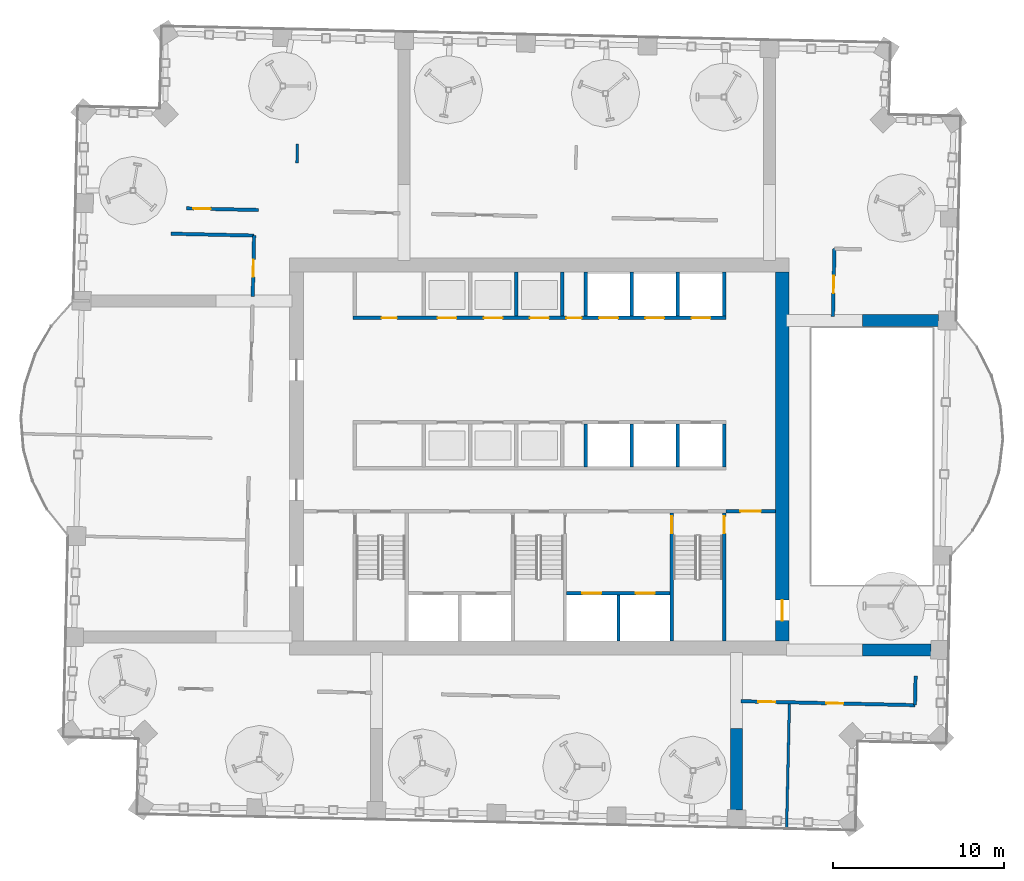
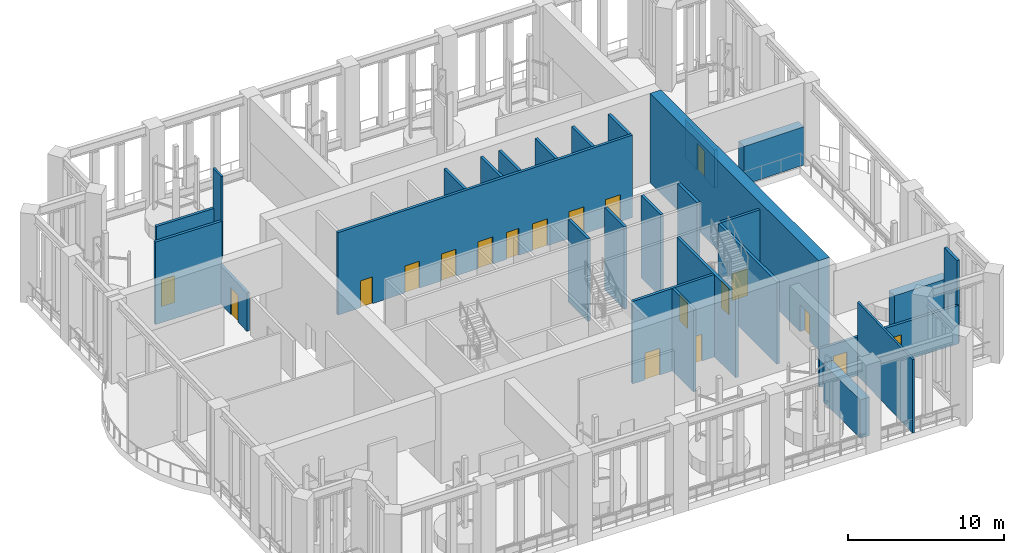
# One storey, part 9 of 33: 28 walls, 19 doors, 19 openings.
"""IFC4 building model written with IfcOpenShell, lengths in metres."""

from ifc_helpers import new_model, si_unit, direction, frame, frame_2d, origin, place, context, subcontext, project, spatial, rectangle, extrude, material, layer, layer_set, type_object, element, fill, save


model = new_model("IFC4")

# Units and contexts
model_context = context("Model", 3, precision=1e-05, world=origin(), true_north=direction((0.0, 1.0)))
body_context = subcontext(model_context, "Body", "Model", "MODEL_VIEW")
ifc_project = project(units=[si_unit("LENGTHUNIT", "METRE"), si_unit("AREAUNIT", "SQUARE_METRE"), si_unit("VOLUMEUNIT", "CUBIC_METRE"), si_unit("PLANEANGLEUNIT", "RADIAN"), si_unit("MASSUNIT", "GRAM", prefix="KILO")], contexts=[model_context])

# Site, building, storey
site_placement = place(None, origin())
site = spatial("IfcSite", under=ifc_project, at=site_placement, CompositionType="ELEMENT")
building_placement = place(site_placement, origin())
building = spatial("IfcBuilding", under=site, at=building_placement, Name="Mangrove Gate Tower", CompositionType="ELEMENT")
storey_placement = place(building_placement, frame((0.0, 0.0, 219.5)))
storey = spatial("IfcBuildingStorey", under=building, at=storey_placement, Name="L56", CompositionType="ELEMENT", Elevation=219.5)

# Wall, opening, door
ifc_material_1 = material(Name="Concrete C32/40", Category="concrete")
ifc_layer_1 = layer(ifc_material_1, 0.199951171875)
ifc_layer_set_1 = layer_set([ifc_layer_1], Name="Core lobby wall 200 C32/40")
wall_type_1 = type_object("IfcWallType", Name="Core lobby wall 200 C32/40", PredefinedType="STANDARD", material=ifc_layer_set_1)
wall_1_placement = place(storey_placement, frame((10.89990234375, -3.199951171875, 0.0), z_axis=(0.0, 0.0, 1.0), x_axis=(1.0, 0.0, 0.0)))
wall_1 = element("IfcWall", 1, at=wall_1_placement, inside=storey, type_object=wall_type_1, Name="WALL-L56-CORE-38", PredefinedType="STANDARD", context=body_context, shape_type="SweptSolid", body=[
    extrude(rectangle(XDim=2.900146484375, YDim=0.199951171875, at=frame_2d((1.4501953125, 0.0))), origin(), (0.0, 0.0, 1.0), 6.449951171875),
])
opening_1_placement = place(wall_1_placement, frame((0.85009765625, 0.0, 0.0)))
opening_1 = element("IfcOpeningElement", 2, at=opening_1_placement, cuts=wall_1, Name="Opening FL12", PredefinedType="OPENING", context=body_context, shape_type="SweptSolid", body=[
    extrude(rectangle(XDim=1.199951171875, YDim=2.10009765625, at=frame_2d((0.60009765625, 1.050048828125))), frame((0.0, 0.10986328125, 0.0), z_axis=(0.0, -1.0, 0.0), x_axis=(1.0, 0.0, 0.0)), (0.0, 0.0, 1.0), 0.219970703125),
])
ifc_material_2 = material(Name="Fire-rated steel door set", Category="steel")
door_type_1 = type_object("IfcDoorType", Name="Lobby door FD60 1200x2100", OperationType="SINGLE_SWING_LEFT", PredefinedType="DOOR", material=ifc_material_2)
door_1_placement = place(opening_1_placement, origin())
door_1 = element("IfcDoor", 3, at=door_1_placement, inside=storey, type_object=door_type_1, Name="Lobby door refuge lobby E link", OperationType="SINGLE_SWING_LEFT", OverallHeight=2.10009765625, OverallWidth=1.199951171875, PredefinedType="DOOR", context=body_context, shape_type="SweptSolid", body=[
    extrude(rectangle(XDim=1.199951171875, YDim=2.10009765625, at=frame_2d((0.60009765625, 1.050048828125))), frame((0.0, 0.02490234375, 0.0), z_axis=(0.0, -1.0, 0.0), x_axis=(1.0, 0.0, 0.0)), (0.0, 0.0, 1.0), 0.050048828125),
])
fill(opening_1, door_1)

# Wall, openings, doors
ifc_material_3 = material(Name="Concrete C60/75", Category="concrete")
ifc_layer_2 = layer(ifc_material_3, 0.199951171875)
ifc_layer_set_2 = layer_set([ifc_layer_2], Name="Core shaft wall 200 C60/75")
wall_type_2 = type_object("IfcWallType", Name="Core shaft wall 200 C60/75", PredefinedType="SHEAR", material=ifc_layer_set_2)
wall_2_placement = place(storey_placement, frame((-10.89990234375, 8.10009765625, 0.0), z_axis=(0.0, 0.0, 1.0), x_axis=(1.0, 0.0, 0.0)))
wall_2 = element("IfcWall", 4, at=wall_2_placement, inside=storey, type_object=wall_type_2, Name="WALL-L56-CORE-8", PredefinedType="SHEAR", context=body_context, shape_type="SweptSolid", body=[
    extrude(rectangle(XDim=21.7998046875, YDim=0.199951171875, at=frame_2d((10.89990234375, 0.0))), origin(), (0.0, 0.0, 1.0), 6.449951171875),
])
opening_2_placement = place(wall_2_placement, frame((4.949951171875, 0.0, 0.0)))
opening_2 = element("IfcOpeningElement", 5, at=opening_2_placement, cuts=wall_2, Name="Opening LD", PredefinedType="OPENING", context=body_context, shape_type="SweptSolid", body=[
    extrude(rectangle(XDim=1.10009765625, YDim=2.10009765625, at=frame_2d((0.550048828125, 1.050048828125))), frame((0.0, 0.10986328125, 0.0), z_axis=(0.0, -1.0, 0.0), x_axis=(1.0, 0.0, 0.0)), (0.0, 0.0, 1.0), 0.219970703125),
])
opening_3_placement = place(wall_2_placement, frame((7.64990234375, 0.0, 0.0)))
opening_3 = element("IfcOpeningElement", 6, at=opening_3_placement, cuts=wall_2, Name="Opening LD", PredefinedType="OPENING", context=body_context, shape_type="SweptSolid", body=[
    extrude(rectangle(XDim=1.10009765625, YDim=2.10009765625, at=frame_2d((0.550048828125, 1.050048828125))), frame((0.0, 0.10986328125, 0.0), z_axis=(0.0, -1.0, 0.0), x_axis=(1.0, 0.0, 0.0)), (0.0, 0.0, 1.0), 0.219970703125),
])
opening_4_placement = place(wall_2_placement, frame((10.35009765625, 0.0, 0.0)))
opening_4 = element("IfcOpeningElement", 7, at=opening_4_placement, cuts=wall_2, Name="Opening LD", PredefinedType="OPENING", context=body_context, shape_type="SweptSolid", body=[
    extrude(rectangle(XDim=1.10009765625, YDim=2.10009765625, at=frame_2d((0.550048828125, 1.050048828125))), frame((0.0, 0.10986328125, 0.0), z_axis=(0.0, -1.0, 0.0), x_axis=(1.0, 0.0, 0.0)), (0.0, 0.0, 1.0), 0.219970703125),
])
opening_5_placement = place(wall_2_placement, frame((14.39990234375, 0.0, 0.0)))
opening_5 = element("IfcOpeningElement", 8, at=opening_5_placement, cuts=wall_2, Name="Opening LD", PredefinedType="OPENING", context=body_context, shape_type="SweptSolid", body=[
    extrude(rectangle(XDim=1.10009765625, YDim=2.10009765625, at=frame_2d((0.550048828125, 1.050048828125))), frame((0.0, 0.10986328125, 0.0), z_axis=(0.0, -1.0, 0.0), x_axis=(1.0, 0.0, 0.0)), (0.0, 0.0, 1.0), 0.219970703125),
])
opening_6_placement = place(wall_2_placement, frame((17.10009765625, 0.0, 0.0)))
opening_6 = element("IfcOpeningElement", 9, at=opening_6_placement, cuts=wall_2, Name="Opening LD", PredefinedType="OPENING", context=body_context, shape_type="SweptSolid", body=[
    extrude(rectangle(XDim=1.10009765625, YDim=2.10009765625, at=frame_2d((0.550048828125, 1.050048828125))), frame((0.0, 0.10986328125, 0.0), z_axis=(0.0, -1.0, 0.0), x_axis=(1.0, 0.0, 0.0)), (0.0, 0.0, 1.0), 0.219970703125),
])
opening_7_placement = place(wall_2_placement, frame((19.800048828125, 0.0, 0.0)))
opening_7 = element("IfcOpeningElement", 10, at=opening_7_placement, cuts=wall_2, Name="Opening LD", PredefinedType="OPENING", context=body_context, shape_type="SweptSolid", body=[
    extrude(rectangle(XDim=1.10009765625, YDim=2.10009765625, at=frame_2d((0.550048828125, 1.050048828125))), frame((0.0, 0.10986328125, 0.0), z_axis=(0.0, -1.0, 0.0), x_axis=(1.0, 0.0, 0.0)), (0.0, 0.0, 1.0), 0.219970703125),
])
opening_8_placement = place(wall_2_placement, frame((1.675048828125, 0.0, 0.0)))
opening_8 = element("IfcOpeningElement", 11, at=opening_8_placement, cuts=wall_2, Name="Opening KD", PredefinedType="OPENING", context=body_context, shape_type="SweptSolid", body=[
    extrude(rectangle(XDim=0.89990234375, YDim=2.10009765625, at=frame_2d((0.449951171875, 1.050048828125))), frame((0.0, 0.10986328125, 0.0), z_axis=(0.0, -1.0, 0.0), x_axis=(1.0, 0.0, 0.0)), (0.0, 0.0, 1.0), 0.219970703125),
])
opening_9_placement = place(wall_2_placement, frame((12.47509765625, 0.0, 0.0)))
opening_9 = element("IfcOpeningElement", 12, at=opening_9_placement, cuts=wall_2, Name="Opening RD", PredefinedType="OPENING", context=body_context, shape_type="SweptSolid", body=[
    extrude(rectangle(XDim=0.89990234375, YDim=2.10009765625, at=frame_2d((0.449951171875, 1.050048828125))), frame((0.0, 0.10986328125, 0.0), z_axis=(0.0, -1.0, 0.0), x_axis=(1.0, 0.0, 0.0)), (0.0, 0.0, 1.0), 0.219970703125),
])
ifc_material_4 = material(Name="Fire-rated steel door set", Category="steel")
door_type_2 = type_object("IfcDoorType", Name="Core room door FD30S 900x2100", OperationType="SINGLE_SWING_RIGHT", PredefinedType="DOOR", material=ifc_material_4)
door_2_placement = place(opening_8_placement, origin())
door_2 = element("IfcDoor", 13, at=door_2_placement, inside=storey, type_object=door_type_2, Name="Core room door Refuse store", OperationType="SINGLE_SWING_RIGHT", OverallHeight=2.10009765625, OverallWidth=0.89990234375, PredefinedType="DOOR", context=body_context, shape_type="SweptSolid", body=[
    extrude(rectangle(XDim=0.89990234375, YDim=2.10009765625, at=frame_2d((0.449951171875, 1.050048828125))), frame((0.0, 0.02490234375, 0.0), z_axis=(0.0, -1.0, 0.0), x_axis=(1.0, 0.0, 0.0)), (0.0, 0.0, 1.0), 0.050048828125),
])
fill(opening_8, door_2)
ifc_material_5 = material(Name="Stainless steel 316", Category="steel")
door_type_3 = type_object("IfcDoorType", Name="Lift landing door 1100x2100", OperationType="SLIDING_TO_LEFT", PredefinedType="DOOR", material=ifc_material_5)
door_3_placement = place(opening_2_placement, origin())
door_3 = element("IfcDoor", 14, at=door_3_placement, inside=storey, type_object=door_type_3, Name="Landing door LD H04", OperationType="SLIDING_TO_LEFT", OverallHeight=2.10009765625, OverallWidth=1.10009765625, PredefinedType="DOOR", context=body_context, shape_type="SweptSolid", body=[
    extrude(rectangle(XDim=1.10009765625, YDim=2.10009765625, at=frame_2d((0.550048828125, 1.050048828125))), frame((0.0, 0.02490234375, 0.0), z_axis=(0.0, -1.0, 0.0), x_axis=(1.0, 0.0, 0.0)), (0.0, 0.0, 1.0), 0.050048828125),
])
fill(opening_2, door_3)
door_4_placement = place(opening_3_placement, origin())
door_4 = element("IfcDoor", 15, at=door_4_placement, inside=storey, type_object=door_type_3, Name="Landing door LD H05", OperationType="SLIDING_TO_LEFT", OverallHeight=2.10009765625, OverallWidth=1.10009765625, PredefinedType="DOOR", context=body_context, shape_type="SweptSolid", body=[
    extrude(rectangle(XDim=1.10009765625, YDim=2.10009765625, at=frame_2d((0.550048828125, 1.050048828125))), frame((0.0, 0.02490234375, 0.0), z_axis=(0.0, -1.0, 0.0), x_axis=(1.0, 0.0, 0.0)), (0.0, 0.0, 1.0), 0.050048828125),
])
fill(opening_3, door_4)
door_5_placement = place(opening_4_placement, origin())
door_5 = element("IfcDoor", 16, at=door_5_placement, inside=storey, type_object=door_type_3, Name="Landing door LD H06", OperationType="SLIDING_TO_LEFT", OverallHeight=2.10009765625, OverallWidth=1.10009765625, PredefinedType="DOOR", context=body_context, shape_type="SweptSolid", body=[
    extrude(rectangle(XDim=1.10009765625, YDim=2.10009765625, at=frame_2d((0.550048828125, 1.050048828125))), frame((0.0, 0.02490234375, 0.0), z_axis=(0.0, -1.0, 0.0), x_axis=(1.0, 0.0, 0.0)), (0.0, 0.0, 1.0), 0.050048828125),
])
fill(opening_4, door_5)
door_6_placement = place(opening_5_placement, origin())
door_6 = element("IfcDoor", 17, at=door_6_placement, inside=storey, type_object=door_type_3, Name="Landing door LD M04", OperationType="SLIDING_TO_LEFT", OverallHeight=2.10009765625, OverallWidth=1.10009765625, PredefinedType="DOOR", context=body_context, shape_type="SweptSolid", body=[
    extrude(rectangle(XDim=1.10009765625, YDim=2.10009765625, at=frame_2d((0.550048828125, 1.050048828125))), frame((0.0, 0.02490234375, 0.0), z_axis=(0.0, -1.0, 0.0), x_axis=(1.0, 0.0, 0.0)), (0.0, 0.0, 1.0), 0.050048828125),
])
fill(opening_5, door_6)
door_7_placement = place(opening_6_placement, origin())
door_7 = element("IfcDoor", 18, at=door_7_placement, inside=storey, type_object=door_type_3, Name="Landing door LD M05", OperationType="SLIDING_TO_LEFT", OverallHeight=2.10009765625, OverallWidth=1.10009765625, PredefinedType="DOOR", context=body_context, shape_type="SweptSolid", body=[
    extrude(rectangle(XDim=1.10009765625, YDim=2.10009765625, at=frame_2d((0.550048828125, 1.050048828125))), frame((0.0, 0.02490234375, 0.0), z_axis=(0.0, -1.0, 0.0), x_axis=(1.0, 0.0, 0.0)), (0.0, 0.0, 1.0), 0.050048828125),
])
fill(opening_6, door_7)
door_8_placement = place(opening_7_placement, origin())
door_8 = element("IfcDoor", 19, at=door_8_placement, inside=storey, type_object=door_type_3, Name="Landing door LD M06", OperationType="SLIDING_TO_LEFT", OverallHeight=2.10009765625, OverallWidth=1.10009765625, PredefinedType="DOOR", context=body_context, shape_type="SweptSolid", body=[
    extrude(rectangle(XDim=1.10009765625, YDim=2.10009765625, at=frame_2d((0.550048828125, 1.050048828125))), frame((0.0, 0.02490234375, 0.0), z_axis=(0.0, -1.0, 0.0), x_axis=(1.0, 0.0, 0.0)), (0.0, 0.0, 1.0), 0.050048828125),
])
fill(opening_7, door_8)
ifc_material_6 = material(Name="Fire-rated steel door set", Category="steel")
door_type_4 = type_object("IfcDoorType", Name="Riser door FD30S 900x2100", OperationType="SINGLE_SWING_LEFT", PredefinedType="DOOR", material=ifc_material_6)
door_9_placement = place(opening_9_placement, origin())
door_9 = element("IfcDoor", 20, at=door_9_placement, inside=storey, type_object=door_type_4, Name="Riser door Electrical room", OperationType="SINGLE_SWING_LEFT", OverallHeight=2.10009765625, OverallWidth=0.89990234375, PredefinedType="DOOR", context=body_context, shape_type="SweptSolid", body=[
    extrude(rectangle(XDim=0.89990234375, YDim=2.10009765625, at=frame_2d((0.449951171875, 1.050048828125))), frame((0.0, 0.02490234375, 0.0), z_axis=(0.0, -1.0, 0.0), x_axis=(1.0, 0.0, 0.0)), (0.0, 0.0, 1.0), 0.050048828125),
])
fill(opening_9, door_9)

wall_3_placement = place(storey_placement, frame((1.60009765625, -8.0, 0.0), z_axis=(0.0, 0.0, 1.0), x_axis=(1.0, 0.0, 0.0)))
wall_3 = element("IfcWall", 21, at=wall_3_placement, inside=storey, type_object=wall_type_2, Name="WALL-L56-CORE-17", PredefinedType="SHEAR", context=body_context, shape_type="SweptSolid", body=[
    extrude(rectangle(XDim=6.0498046875, YDim=0.199951171875, at=frame_2d((3.02490234375, 0.0))), origin(), (0.0, 0.0, 1.0), 6.449951171875),
])
opening_10_placement = place(wall_3_placement, frame((0.91259765625, 0.0, 0.0)))
opening_10 = element("IfcOpeningElement", 22, at=opening_10_placement, cuts=wall_3, Name="Opening LD", PredefinedType="OPENING", context=body_context, shape_type="SweptSolid", body=[
    extrude(rectangle(XDim=1.10009765625, YDim=2.10009765625, at=frame_2d((0.550048828125, 1.050048828125))), frame((0.0, 0.10986328125, 0.0), z_axis=(0.0, -1.0, 0.0), x_axis=(1.0, 0.0, 0.0)), (0.0, 0.0, 1.0), 0.219970703125),
])
opening_11_placement = place(wall_3_placement, frame((4.03759765625, 0.0, 0.0)))
opening_11 = element("IfcOpeningElement", 23, at=opening_11_placement, cuts=wall_3, Name="Opening LD", PredefinedType="OPENING", context=body_context, shape_type="SweptSolid", body=[
    extrude(rectangle(XDim=1.10009765625, YDim=2.10009765625, at=frame_2d((0.550048828125, 1.050048828125))), frame((0.0, 0.10986328125, 0.0), z_axis=(0.0, -1.0, 0.0), x_axis=(1.0, 0.0, 0.0)), (0.0, 0.0, 1.0), 0.219970703125),
])
door_10_placement = place(opening_10_placement, origin())
door_10 = element("IfcDoor", 24, at=door_10_placement, inside=storey, type_object=door_type_3, Name="Landing door LD FFL1", OperationType="SLIDING_TO_LEFT", OverallHeight=2.10009765625, OverallWidth=1.10009765625, PredefinedType="DOOR", context=body_context, shape_type="SweptSolid", body=[
    extrude(rectangle(XDim=1.10009765625, YDim=2.10009765625, at=frame_2d((0.550048828125, 1.050048828125))), frame((0.0, 0.02490234375, 0.0), z_axis=(0.0, -1.0, 0.0), x_axis=(1.0, 0.0, 0.0)), (0.0, 0.0, 1.0), 0.050048828125),
])
fill(opening_10, door_10)
door_11_placement = place(opening_11_placement, origin())
door_11 = element("IfcDoor", 25, at=door_11_placement, inside=storey, type_object=door_type_3, Name="Landing door LD FFL2", OperationType="SLIDING_TO_LEFT", OverallHeight=2.10009765625, OverallWidth=1.10009765625, PredefinedType="DOOR", context=body_context, shape_type="SweptSolid", body=[
    extrude(rectangle(XDim=1.10009765625, YDim=2.10009765625, at=frame_2d((0.550048828125, 1.050048828125))), frame((0.0, 0.02490234375, 0.0), z_axis=(0.0, -1.0, 0.0), x_axis=(1.0, 0.0, 0.0)), (0.0, 0.0, 1.0), 0.050048828125),
])
fill(opening_11, door_11)

# Walls
wall_4_placement = place(storey_placement, frame((4.625, -10.800048828125, 0.0), z_axis=(0.0, 0.0, 1.0), x_axis=(0.0, 1.0, 0.0)))
element("IfcWall", 26, at=wall_4_placement, inside=storey, type_object=wall_type_2, Name="WALL-L56-CORE-18", PredefinedType="SHEAR", context=body_context, shape_type="SweptSolid", body=[
    extrude(rectangle(XDim=2.699951171875, YDim=0.199951171875, at=frame_2d((1.35009765625, 0.0))), origin(), (0.0, 0.0, 1.0), 6.449951171875),
])
for number, where, z_axis, x_axis, name in (
    (27, (2.699951171875, -0.60009765625, 0.0), (0.0, 0.0, 1.0), (0.0, 1.0, 0.0), "WALL-L56-CORE-24"),
    (28, (5.39990234375, -0.60009765625, 0.0), (0.0, 0.0, 1.0), (0.0, 1.0, 0.0), "WALL-L56-CORE-25"),
    (29, (8.10009765625, -0.60009765625, 0.0), (0.0, 0.0, 1.0), (0.0, 1.0, 0.0), "WALL-L56-CORE-26"),
    (30, (10.800048828125, -0.60009765625, 0.0), (0.0, 0.0, 1.0), (0.0, 1.0, 0.0), "WALL-L56-CORE-27"),
):
    element("IfcWall", number, at=place(storey_placement, frame(where, z_axis=z_axis, x_axis=x_axis)), inside=storey, type_object=wall_type_2, Name=name, PredefinedType="SHEAR", context=body_context, shape_type="SweptSolid", body=[
        extrude(rectangle(XDim=2.5, YDim=0.199951171875, at=frame_2d((1.25, 0.0))), origin(), (0.0, 0.0, 1.0), 6.449951171875),
    ])
for number, where, z_axis, x_axis, name in (
    (31, (-1.35009765625, 8.199951171875, 0.0), (0.0, 0.0, 1.0), (0.0, 1.0, 0.0), "WALL-L56-CORE-31"),
    (32, (1.35009765625, 8.199951171875, 0.0), (0.0, 0.0, 1.0), (0.0, 1.0, 0.0), "WALL-L56-CORE-32"),
    (33, (2.699951171875, 8.199951171875, 0.0), (0.0, 0.0, 1.0), (0.0, 1.0, 0.0), "WALL-L56-CORE-33"),
    (34, (5.39990234375, 8.199951171875, 0.0), (0.0, 0.0, 1.0), (0.0, 1.0, 0.0), "WALL-L56-CORE-34"),
    (35, (8.10009765625, 8.199951171875, 0.0), (0.0, 0.0, 1.0), (0.0, 1.0, 0.0), "WALL-L56-CORE-35"),
    (36, (10.800048828125, 8.199951171875, 0.0), (0.0, 0.0, 1.0), (0.0, 1.0, 0.0), "WALL-L56-CORE-36"),
):
    element("IfcWall", number, at=place(storey_placement, frame(where, z_axis=z_axis, x_axis=x_axis)), inside=storey, type_object=wall_type_2, Name=name, PredefinedType="SHEAR", context=body_context, shape_type="SweptSolid", body=[
        extrude(rectangle(XDim=2.60009765625, YDim=0.199951171875, at=frame_2d((1.300048828125, 0.0))), origin(), (0.0, 0.0, 1.0), 6.449951171875),
    ])

# Wall, opening, door
ifc_material_7 = material(Name="Concrete C60/75", Category="concrete")
ifc_layer_3 = layer(ifc_material_7, 0.199951171875)
ifc_layer_set_3 = layer_set([ifc_layer_3], Name="Core stair wall 200 C60/75")
wall_type_3 = type_object("IfcWallType", Name="Core stair wall 200 C60/75", PredefinedType="SHEAR", material=ifc_layer_set_3)
wall_5_placement = place(storey_placement, frame((7.75, -10.800048828125, 0.0), z_axis=(0.0, 0.0, 1.0), x_axis=(0.0, 1.0, 0.0)))
wall_5 = element("IfcWall", 37, at=wall_5_placement, inside=storey, type_object=wall_type_3, Name="WALL-L56-CORE-13", PredefinedType="SHEAR", context=body_context, shape_type="SweptSolid", body=[
    extrude(rectangle(XDim=7.5, YDim=0.199951171875, at=frame_2d((3.75, 0.0))), origin(), (0.0, 0.0, 1.0), 6.449951171875),
])
opening_12_placement = place(wall_5_placement, frame((6.300048828125, 0.0, 0.0)))
opening_12 = element("IfcOpeningElement", 38, at=opening_12_placement, cuts=wall_5, Name="Opening STD10", PredefinedType="OPENING", context=body_context, shape_type="SweptSolid", body=[
    extrude(rectangle(XDim=1.0, YDim=2.10009765625, at=frame_2d((0.5, 1.050048828125))), frame((0.0, 0.10986328125, 0.0), z_axis=(0.0, -1.0, 0.0), x_axis=(1.0, 0.0, 0.0)), (0.0, 0.0, 1.0), 0.219970703125),
])
ifc_material_8 = material(Name="Fire-rated steel door set", Category="steel")
door_type_5 = type_object("IfcDoorType", Name="Stair door FD60 1000x2100", OperationType="SINGLE_SWING_RIGHT", PredefinedType="DOOR", material=ifc_material_8)
door_12_placement = place(opening_12_placement, origin())
door_12 = element("IfcDoor", 39, at=door_12_placement, inside=storey, type_object=door_type_5, Name="Stair door Stair 3 from fire-fighting lobby", OperationType="SINGLE_SWING_RIGHT", OverallHeight=2.10009765625, OverallWidth=1.0, PredefinedType="DOOR", context=body_context, shape_type="SweptSolid", body=[
    extrude(rectangle(XDim=1.0, YDim=2.10009765625, at=frame_2d((0.5, 1.050048828125))), frame((0.0, 0.02490234375, 0.0), z_axis=(0.0, -1.0, 0.0), x_axis=(1.0, 0.0, 0.0)), (0.0, 0.0, 1.0), 0.050048828125),
])
fill(opening_12, door_12)

wall_6_placement = place(storey_placement, frame((10.800048828125, -10.800048828125, 0.0), z_axis=(0.0, 0.0, 1.0), x_axis=(0.0, 1.0, 0.0)))
wall_6 = element("IfcWall", 40, at=wall_6_placement, inside=storey, type_object=wall_type_3, Name="WALL-L56-CORE-14", PredefinedType="SHEAR", context=body_context, shape_type="SweptSolid", body=[
    extrude(rectangle(XDim=7.5, YDim=0.199951171875, at=frame_2d((3.75, 0.0))), origin(), (0.0, 0.0, 1.0), 6.449951171875),
])
opening_13_placement = place(wall_6_placement, frame((6.300048828125, 0.0, 0.0)))
opening_13 = element("IfcOpeningElement", 41, at=opening_13_placement, cuts=wall_6, Name="Opening STD10", PredefinedType="OPENING", context=body_context, shape_type="SweptSolid", body=[
    extrude(rectangle(XDim=1.0, YDim=2.10009765625, at=frame_2d((0.5, 1.050048828125))), frame((0.0, 0.10986328125, 0.0), z_axis=(0.0, -1.0, 0.0), x_axis=(1.0, 0.0, 0.0)), (0.0, 0.0, 1.0), 0.219970703125),
])
door_13_placement = place(opening_13_placement, origin())
door_13 = element("IfcDoor", 42, at=door_13_placement, inside=storey, type_object=door_type_5, Name="Stair door refuge lobby E to stair", OperationType="SINGLE_SWING_RIGHT", OverallHeight=2.10009765625, OverallWidth=1.0, PredefinedType="DOOR", context=body_context, shape_type="SweptSolid", body=[
    extrude(rectangle(XDim=1.0, YDim=2.10009765625, at=frame_2d((0.5, 1.050048828125))), frame((0.0, 0.02490234375, 0.0), z_axis=(0.0, -1.0, 0.0), x_axis=(1.0, 0.0, 0.0)), (0.0, 0.0, 1.0), 0.050048828125),
])
fill(opening_13, door_13)

ifc_material_9 = material(Name="Concrete C60/75", Category="concrete")
ifc_layer_4 = layer(ifc_material_9, 0.800048828125)
ifc_layer_set_4 = layer_set([ifc_layer_4], Name="Core wall 800 C60/75")
wall_type_4 = type_object("IfcWallType", Name="Core wall 800 C60/75", PredefinedType="SHEAR", material=ifc_layer_set_4)
wall_7_placement = place(storey_placement, frame((14.199951171875, -10.800048828125, 0.0), z_axis=(0.0, 0.0, 1.0), x_axis=(0.0, 1.0, 0.0)))
wall_7 = element("IfcWall", 43, at=wall_7_placement, inside=storey, type_object=wall_type_4, Name="WALL-L56-CORE-4", PredefinedType="SHEAR", context=body_context, shape_type="SweptSolid", body=[
    extrude(rectangle(XDim=21.60009765625, YDim=0.800048828125, at=frame_2d((10.800048828125, 0.0))), origin(), (0.0, 0.0, 1.0), 7.0),
])
opening_14_placement = place(wall_7_placement, frame((1.199951171875, 0.0, 0.0)))
opening_14 = element("IfcOpeningElement", 44, at=opening_14_placement, cuts=wall_7, Name="Opening CD", PredefinedType="OPENING", context=body_context, shape_type="SweptSolid", body=[
    extrude(rectangle(XDim=1.199951171875, YDim=2.10009765625, at=frame_2d((0.60009765625, 1.050048828125))), frame((0.0, 0.409912109375, 0.0), z_axis=(0.0, -1.0, 0.0), x_axis=(1.0, 0.0, 0.0)), (0.0, 0.0, 1.0), 0.820068359375),
])
ifc_material_10 = material(Name="Fire-rated steel door set", Category="steel")
door_type_6 = type_object("IfcDoorType", Name="Core ring door FD60 1200x2100", OperationType="DOUBLE_DOOR_SINGLE_SWING", PredefinedType="DOOR", material=ifc_material_10)
door_14_placement = place(opening_14_placement, origin())
door_14 = element("IfcDoor", 45, at=door_14_placement, inside=storey, type_object=door_type_6, Name="Core ring door E1", OperationType="DOUBLE_DOOR_SINGLE_SWING", OverallHeight=2.10009765625, OverallWidth=1.199951171875, PredefinedType="DOOR", context=body_context, shape_type="SweptSolid", body=[
    extrude(rectangle(XDim=1.199951171875, YDim=2.10009765625, at=frame_2d((0.60009765625, 1.050048828125))), frame((0.0, 0.02490234375, 0.0), z_axis=(0.0, -1.0, 0.0), x_axis=(1.0, 0.0, 0.0)), (0.0, 0.0, 1.0), 0.050048828125),
])
fill(opening_14, door_14)

# Wall, openings, doors
ifc_material_11 = material(Name="Gypsum board on steel stud, EI 60", Category="steel")
ifc_layer_5 = layer(ifc_material_11, 0.199951171875)
ifc_layer_set_5 = layer_set([ifc_layer_5], Name="Corridor wall EI 60")
wall_type_5 = type_object("IfcWallType", Name="Corridor wall EI 60", PredefinedType="PARTITIONING", material=ifc_layer_set_5)
wall_8_placement = place(storey_placement, frame((11.778076171875, -14.30810546875, 0.0), z_axis=(0.0, 0.0, 1.0), x_axis=(0.999742886309, -0.022675124564, 0.0)))
wall_8 = element("IfcWall", 46, at=wall_8_placement, inside=storey, type_object=wall_type_5, Name="WALL-L56-005", PredefinedType="PARTITIONING", context=body_context, shape_type="SweptSolid", body=[
    extrude(rectangle(XDim=10.185546875, YDim=0.199951171875, at=frame_2d((5.0927734375, 0.0))), origin(), (0.0, 0.0, 1.0), 3.0),
])
opening_15_placement = place(wall_8_placement, frame((1.02490234375, 0.0, 0.0)))
opening_15 = element("IfcOpeningElement", 47, at=opening_15_placement, cuts=wall_8, Name="Opening AD", PredefinedType="OPENING", context=body_context, shape_type="SweptSolid", body=[
    extrude(rectangle(XDim=1.0, YDim=2.10009765625, at=frame_2d((0.5, 1.050048828125))), frame((0.0, 0.10986328125, 0.0), z_axis=(0.0, -1.0, 0.0), x_axis=(1.0, 0.0, 0.0)), (0.0, 0.0, 1.0), 0.219970703125),
])
opening_16_placement = place(wall_8_placement, frame((4.9990234375, 0.0, 0.0)))
opening_16 = element("IfcOpeningElement", 48, at=opening_16_placement, cuts=wall_8, Name="Opening AD", PredefinedType="OPENING", context=body_context, shape_type="SweptSolid", body=[
    extrude(rectangle(XDim=1.0, YDim=2.10009765625, at=frame_2d((0.5, 1.050048828125))), frame((0.0, 0.10986328125, 0.0), z_axis=(0.0, -1.0, 0.0), x_axis=(1.0, 0.0, 0.0)), (0.0, 0.0, 1.0), 0.219970703125),
])
ifc_material_12 = material(Name="Timber door leaf", Category="wood")
door_type_7 = type_object("IfcDoorType", Name="Amenity door 1000", OperationType="SINGLE_SWING_LEFT", PredefinedType="DOOR", material=ifc_material_12)
door_15_placement = place(opening_15_placement, origin())
door_15 = element("IfcDoor", 49, at=door_15_placement, inside=storey, type_object=door_type_7, Name="DOOR-L56-LNG-c2a", OperationType="SINGLE_SWING_RIGHT", OverallHeight=2.10009765625, OverallWidth=1.0, PredefinedType="DOOR", context=body_context, shape_type="SweptSolid", body=[
    extrude(rectangle(XDim=1.0, YDim=2.10009765625, at=frame_2d((0.5, 1.050048828125))), frame((0.0, 0.02490234375, 0.0), z_axis=(0.0, -1.0, 0.0), x_axis=(1.0, 0.0, 0.0)), (0.0, 0.0, 1.0), 0.050048828125),
])
fill(opening_15, door_15)
door_16_placement = place(opening_16_placement, origin())
door_16 = element("IfcDoor", 50, at=door_16_placement, inside=storey, type_object=door_type_7, Name="DOOR-L56-STU-c2a", OperationType="SINGLE_SWING_LEFT", OverallHeight=2.10009765625, OverallWidth=1.0, PredefinedType="DOOR", context=body_context, shape_type="SweptSolid", body=[
    extrude(rectangle(XDim=1.0, YDim=2.10009765625, at=frame_2d((0.5, 1.050048828125))), frame((0.0, 0.02490234375, 0.0), z_axis=(0.0, -1.0, 0.0), x_axis=(1.0, 0.0, 0.0)), (0.0, 0.0, 1.0), 0.050048828125),
])
fill(opening_16, door_16)

# Wall
wall_9_placement = place(storey_placement, frame((21.958984375, -14.5390625, 0.0), z_axis=(0.0, 0.0, 1.0), x_axis=(0.022398515438, 0.999749121783, 0.0)))
element("IfcWall", 51, at=wall_9_placement, inside=storey, type_object=wall_type_5, Name="WALL-L56-006", PredefinedType="PARTITIONING", context=body_context, shape_type="SweptSolid", body=[
    extrude(rectangle(XDim=1.700439453125, YDim=0.199951171875, at=frame_2d((0.85009765625, 0.0))), origin(), (0.0, 0.0, 1.0), 6.449951171875),
])

# Wall, opening, door
wall_10_placement = place(storey_placement, frame((17.1630859375, 8.195068359375, 0.0), z_axis=(0.0, 0.0, 1.0), x_axis=(0.022717198559, 0.999741931145, 0.0)))
wall_10 = element("IfcWall", 52, at=wall_10_placement, inside=storey, type_object=wall_type_5, Name="WALL-L56-012", PredefinedType="PARTITIONING", context=body_context, shape_type="SweptSolid", body=[
    extrude(rectangle(XDim=3.954833984375, YDim=0.199951171875, at=frame_2d((1.9775390625, 0.0))), origin(), (0.0, 0.0, 1.0), 3.0),
])
opening_17_placement = place(wall_10_placement, frame((1.360107421875, 0.0, 0.0)))
opening_17 = element("IfcOpeningElement", 53, at=opening_17_placement, cuts=wall_10, Name="Opening AD", PredefinedType="OPENING", context=body_context, shape_type="SweptSolid", body=[
    extrude(rectangle(XDim=1.0, YDim=2.10009765625, at=frame_2d((0.5, 1.050048828125))), frame((0.0, 0.10986328125, 0.0), z_axis=(0.0, -1.0, 0.0), x_axis=(1.0, 0.0, 0.0)), (0.0, 0.0, 1.0), 0.219970703125),
])
door_17_placement = place(opening_17_placement, origin())
door_17 = element("IfcDoor", 54, at=door_17_placement, inside=storey, type_object=door_type_7, Name="DOOR-L56-LNG-c3a", OperationType="SINGLE_SWING_RIGHT", OverallHeight=2.10009765625, OverallWidth=1.0, PredefinedType="DOOR", context=body_context, shape_type="SweptSolid", body=[
    extrude(rectangle(XDim=1.0, YDim=2.10009765625, at=frame_2d((0.5, 1.050048828125))), frame((0.0, 0.02490234375, 0.0), z_axis=(0.0, -1.0, 0.0), x_axis=(1.0, 0.0, 0.0)), (0.0, 0.0, 1.0), 0.050048828125),
])
fill(opening_17, door_17)

wall_11_placement = place(storey_placement, frame((-16.759033203125, 9.344970703125, 0.0), z_axis=(0.0, 0.0, 1.0), x_axis=(0.022673314563, 0.99974292736, 0.0)))
wall_11 = element("IfcWall", 55, at=wall_11_placement, inside=storey, type_object=wall_type_5, Name="WALL-L56-013", PredefinedType="PARTITIONING", context=body_context, shape_type="SweptSolid", body=[
    extrude(rectangle(XDim=3.574951171875, YDim=0.199951171875, at=frame_2d((1.78759765625, 0.0))), origin(), (0.0, 0.0, 1.0), 3.0),
])
opening_18_placement = place(wall_11_placement, frame((1.162109375, 0.0, 0.0)))
opening_18 = element("IfcOpeningElement", 56, at=opening_18_placement, cuts=wall_11, Name="Opening AD", PredefinedType="OPENING", context=body_context, shape_type="SweptSolid", body=[
    extrude(rectangle(XDim=1.0, YDim=2.10009765625, at=frame_2d((0.5, 1.050048828125))), frame((0.0, 0.10986328125, 0.0), z_axis=(0.0, -1.0, 0.0), x_axis=(1.0, 0.0, 0.0)), (0.0, 0.0, 1.0), 0.219970703125),
])
door_18_placement = place(opening_18_placement, origin())
door_18 = element("IfcDoor", 57, at=door_18_placement, inside=storey, type_object=door_type_7, Name="DOOR-L56-LNG-c4d", OperationType="SINGLE_SWING_LEFT", OverallHeight=2.10009765625, OverallWidth=1.0, PredefinedType="DOOR", context=body_context, shape_type="SweptSolid", body=[
    extrude(rectangle(XDim=1.0, YDim=2.10009765625, at=frame_2d((0.5, 1.050048828125))), frame((0.0, 0.02490234375, 0.0), z_axis=(0.0, -1.0, 0.0), x_axis=(1.0, 0.0, 0.0)), (0.0, 0.0, 1.0), 0.050048828125),
])
fill(opening_18, door_18)

# Wall
wall_12_placement = place(storey_placement, frame((-21.5390625, 13.02490234375, 0.0), z_axis=(0.0, 0.0, 1.0), x_axis=(0.999744602291, -0.022599340485, 0.0)))
element("IfcWall", 58, at=wall_12_placement, inside=storey, type_object=wall_type_5, Name="WALL-L56-014", PredefinedType="PARTITIONING", context=body_context, shape_type="SweptSolid", body=[
    extrude(rectangle(XDim=4.861328125, YDim=0.199951171875, at=frame_2d((2.4306640625, 0.0))), origin(), (0.0, 0.0, 1.0), 6.449951171875),
])

# Wall, opening, door
wall_13_placement = place(storey_placement, frame((-20.6259765625, 14.5048828125, 0.0), z_axis=(0.0, 0.0, 1.0), x_axis=(0.999743724863, -0.022638122648, 0.0)))
wall_13 = element("IfcWall", 59, at=wall_13_placement, inside=storey, type_object=wall_type_5, Name="WALL-L56-016", PredefinedType="PARTITIONING", context=body_context, shape_type="SweptSolid", body=[
    extrude(rectangle(XDim=4.195068359375, YDim=0.199951171875, at=frame_2d((2.09765625, 0.0))), origin(), (0.0, 0.0, 1.0), 6.449951171875),
])
opening_19_placement = place(wall_13_placement, frame((0.404052734375, 0.0, 0.0)))
opening_19 = element("IfcOpeningElement", 60, at=opening_19_placement, cuts=wall_13, Name="Opening AD", PredefinedType="OPENING", context=body_context, shape_type="SweptSolid", body=[
    extrude(rectangle(XDim=1.0, YDim=2.10009765625, at=frame_2d((0.5, 1.050048828125))), frame((0.0, 0.10986328125, 0.0), z_axis=(0.0, -1.0, 0.0), x_axis=(1.0, 0.0, 0.0)), (0.0, 0.0, 1.0), 0.219970703125),
])
door_19_placement = place(opening_19_placement, origin())
door_19 = element("IfcDoor", 61, at=door_19_placement, inside=storey, type_object=door_type_7, Name="DOOR-L56-LNG-c4c", OperationType="SINGLE_SWING_RIGHT", OverallHeight=2.10009765625, OverallWidth=1.0, PredefinedType="DOOR", context=body_context, shape_type="SweptSolid", body=[
    extrude(rectangle(XDim=1.0, YDim=2.10009765625, at=frame_2d((0.5, 1.050048828125))), frame((0.0, 0.02490234375, 0.0), z_axis=(0.0, -1.0, 0.0), x_axis=(1.0, 0.0, 0.0)), (0.0, 0.0, 1.0), 0.050048828125),
])
fill(opening_19, door_19)

# Walls
ifc_material_13 = material(Name="Concrete C60/75", Category="concrete")
ifc_layer_6 = layer(ifc_material_13, 0.699951171875)
ifc_layer_set_6 = layer_set([ifc_layer_6], Name="Outrigger wall 700 C60/75")
wall_type_6 = type_object("IfcWallType", Name="Outrigger wall 700 C60/75", PredefinedType="SHEAR", material=ifc_layer_set_6)
wall_14_placement = place(storey_placement, frame((18.89990234375, 7.949462890625, 0.0), z_axis=(0.0, 0.0, 1.0), x_axis=(1.0, 0.0, 0.0)))
element("IfcWall", 62, at=wall_14_placement, inside=storey, type_object=wall_type_6, Name="Outrigger wall L56 OR1 pier", PredefinedType="SHEAR", context=body_context, shape_type="SweptSolid", body=[
    extrude(rectangle(XDim=4.421142578125, YDim=0.699951171875, at=frame_2d((2.21044921875, 0.0))), origin(), (0.0, 0.0, 1.0), 3.0),
])
wall_15_placement = place(storey_placement, frame((11.532470703125, -15.89990234375, 0.0), z_axis=(0.0, 0.0, 1.0), x_axis=(0.0, -1.0, 0.0)))
element("IfcWall", 63, at=wall_15_placement, inside=storey, type_object=wall_type_6, Name="Outrigger wall L56 OR4 pier", PredefinedType="SHEAR", context=body_context, shape_type="SweptSolid", body=[
    extrude(rectangle(XDim=4.754150390625, YDim=0.699951171875, at=frame_2d((2.376953125, 0.0))), origin(), (0.0, 0.0, 1.0), 3.0),
])
wall_16_placement = place(storey_placement, frame((18.89990234375, -11.30859375, 0.0), z_axis=(0.0, 0.0, 1.0), x_axis=(1.0, 0.0, 0.0)))
element("IfcWall", 64, at=wall_16_placement, inside=storey, type_object=wall_type_6, Name="Outrigger wall L56 OR5 pier", PredefinedType="SHEAR", context=body_context, shape_type="SweptSolid", body=[
    extrude(rectangle(XDim=3.984130859375, YDim=0.699951171875, at=frame_2d((1.9921875, 0.0))), origin(), (0.0, 0.0, 1.0), 3.0),
])
ifc_material_14 = material(Name="Gypsum board on steel stud, EI 60", Category="steel")
ifc_layer_7 = layer(ifc_material_14, 0.14990234375)
ifc_layer_set_7 = layer_set([ifc_layer_7], Name="Party wall 150 EI 60")
wall_type_7 = type_object("IfcWallType", Name="Party wall 150 EI 60", PredefinedType="PARTITIONING", material=ifc_layer_set_7)
wall_17_placement = place(storey_placement, frame((14.451904296875, -21.820068359375, 0.0), z_axis=(0.0, 0.0, 1.0), x_axis=(0.022587099398, 0.999744878927, 0.0)))
element("IfcWall", 65, at=wall_17_placement, inside=storey, type_object=wall_type_7, Name="WALL-L56-001", PredefinedType="PARTITIONING", context=body_context, shape_type="SweptSolid", body=[
    extrude(rectangle(XDim=7.35009765625, YDim=0.14990234375, at=frame_2d((3.675048828125, 0.0))), origin(), (0.0, 0.0, 1.0), 5.75),
])
wall_18_placement = place(storey_placement, frame((-14.1708984375, 17.158935546875, 0.0), z_axis=(0.0, 0.0, 1.0), x_axis=(0.022446467252, 0.999748046314, 0.0)))
element("IfcWall", 66, at=wall_18_placement, inside=storey, type_object=wall_type_7, Name="WALL-L56-020", PredefinedType="PARTITIONING", context=body_context, shape_type="SweptSolid", body=[
    extrude(rectangle(XDim=1.109375, YDim=0.14990234375, at=frame_2d((0.5546875, 0.0))), origin(), (0.0, 0.0, 1.0), 6.449951171875),
])

save(model, "model.ifc")
